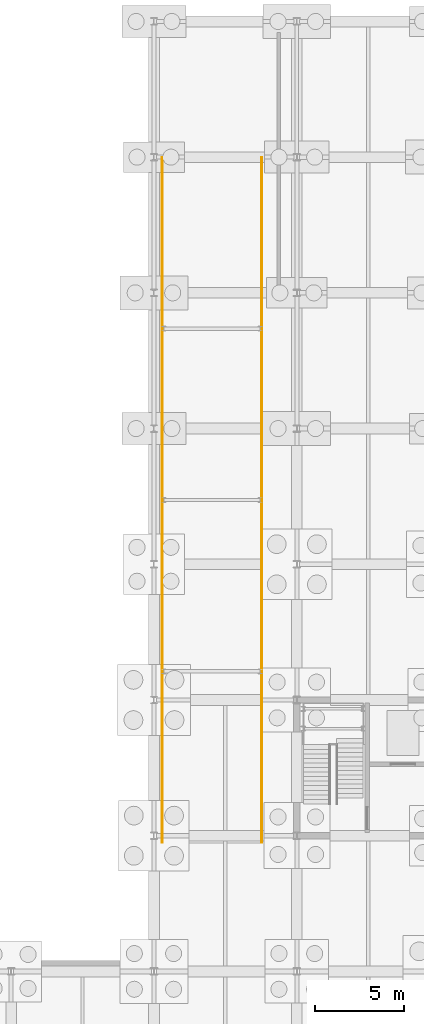
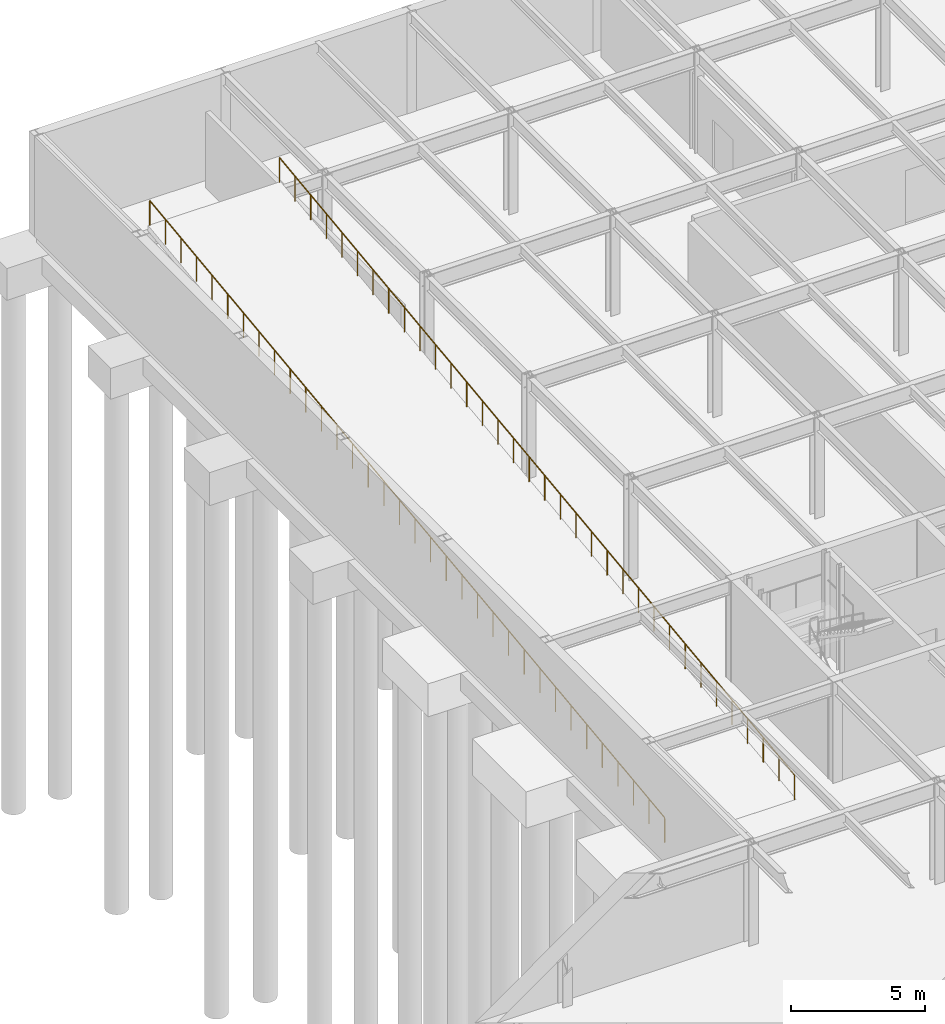
# One storey, part 20 of 21: 2 railings.
"""IFC4 building model written with IfcOpenShell, lengths in metres."""

from ifc_helpers import new_model, si_unit, direction, frame, origin, origin_2d, place, context, subcontext, project, spatial, circle, extrude, material, type_object, element, save


model = new_model("IFC4")

# Units and contexts
model_context = context("Model", 3, precision=1e-05, world=origin(), true_north=direction((0.0, 1.0)))
body_context = subcontext(model_context, "Body", "Model", "MODEL_VIEW")
ifc_project = project(units=[si_unit("LENGTHUNIT", "METRE"), si_unit("AREAUNIT", "SQUARE_METRE"), si_unit("VOLUMEUNIT", "CUBIC_METRE"), si_unit("PLANEANGLEUNIT", "RADIAN"), si_unit("MASSUNIT", "GRAM", prefix="KILO")], contexts=[model_context])

# Site, building, storey
site_placement = place(None, origin())
site = spatial("IfcSite", under=ifc_project, at=site_placement, CompositionType="ELEMENT")
building_placement = place(site_placement, origin())
building = spatial("IfcBuilding", under=site, at=building_placement, Name="Zulena Civic Courthouse", CompositionType="ELEMENT")
storey_placement = place(building_placement, frame((0.0, 0.0, -4.800048828125)))
storey = spatial("IfcBuildingStorey", under=building, at=storey_placement, Name="B01", CompositionType="ELEMENT", Elevation=-4.800048828125)

# Railings
ifc_material = material(Name="Brushed architectural steel ASTM A36", Category="steel")
railing_type = type_object("IfcRailingType", Name="InteriorGuardrail_1150", PredefinedType="GUARDRAIL", material=ifc_material)
railing_1_placement = place(storey_placement, frame((68.4599609375, 68.02001953125, 0.0)))
element("IfcRailing", 1, at=railing_1_placement, inside=storey, type_object=railing_type, Name="guard:vramp:B01:W", PredefinedType="GUARDRAIL", context=body_context, shape_type="SweptSolid", body=[
    extrude(circle(Radius=0.02392578125, at=origin_2d()), frame((0.0, 0.00390625, 1.12646484375), z_axis=(0.0, 0.992261740197, 0.12416375857), x_axis=(-1.0, 0.0, 0.0)), (0.0, 0.0, 1.0), 38.65087890625),
    extrude(circle(Radius=0.02099609375, at=origin_2d()), origin(), (0.0, 0.0, 1.0), 1.097900390625),
    extrude(circle(Radius=0.02099609375, at=origin_2d()), frame((0.0, 1.162353515625, 0.1455078125)), (0.0, 0.0, 1.0), 1.097900390625),
    extrude(circle(Radius=0.02099609375, at=origin_2d()), frame((0.0, 2.324951171875, 0.291015625)), (0.0, 0.0, 1.0), 1.097900390625),
    extrude(circle(Radius=0.02099609375, at=origin_2d()), frame((0.0, 3.4873046875, 0.436279296875)), (0.0, 0.0, 1.0), 1.097900390625),
    extrude(circle(Radius=0.02099609375, at=origin_2d()), frame((0.0, 4.649658203125, 0.581787109375)), (0.0, 0.0, 1.0), 1.097900390625),
    extrude(circle(Radius=0.02099609375, at=origin_2d()), frame((0.0, 5.81201171875, 0.727294921875)), (0.0, 0.0, 1.0), 1.097900390625),
    extrude(circle(Radius=0.02099609375, at=origin_2d()), frame((0.0, 6.974609375, 0.872802734375)), (0.0, 0.0, 1.0), 1.097900390625),
    extrude(circle(Radius=0.02099609375, at=origin_2d()), frame((0.0, 8.136962890625, 1.018310546875)), (0.0, 0.0, 1.0), 1.097900390625),
    extrude(circle(Radius=0.02099609375, at=origin_2d()), frame((0.0, 9.29931640625, 1.16357421875)), (0.0, 0.0, 1.0), 1.097900390625),
    extrude(circle(Radius=0.02099609375, at=origin_2d()), frame((0.0, 10.461669921875, 1.30908203125)), (0.0, 0.0, 1.0), 1.097900390625),
    extrude(circle(Radius=0.02099609375, at=origin_2d()), frame((0.0, 11.624267578125, 1.45458984375)), (0.0, 0.0, 1.0), 1.097900390625),
    extrude(circle(Radius=0.02099609375, at=origin_2d()), frame((0.0, 12.78662109375, 1.60009765625)), (0.0, 0.0, 1.0), 1.097900390625),
    extrude(circle(Radius=0.02099609375, at=origin_2d()), frame((0.0, 13.948974609375, 1.745361328125)), (0.0, 0.0, 1.0), 1.097900390625),
    extrude(circle(Radius=0.02099609375, at=origin_2d()), frame((0.0, 15.111572265625, 1.890869140625)), (0.0, 0.0, 1.0), 1.097900390625),
    extrude(circle(Radius=0.02099609375, at=origin_2d()), frame((0.0, 16.27392578125, 2.036376953125)), (0.0, 0.0, 1.0), 1.097900390625),
    extrude(circle(Radius=0.02099609375, at=origin_2d()), frame((0.0, 17.436279296875, 2.181884765625)), (0.0, 0.0, 1.0), 1.097900390625),
    extrude(circle(Radius=0.02099609375, at=origin_2d()), frame((0.0, 18.5986328125, 2.327392578125)), (0.0, 0.0, 1.0), 1.097900390625),
    extrude(circle(Radius=0.02099609375, at=origin_2d()), frame((0.0, 19.76123046875, 2.47265625)), (0.0, 0.0, 1.0), 1.097900390625),
    extrude(circle(Radius=0.02099609375, at=origin_2d()), frame((0.0, 20.923583984375, 2.6181640625)), (0.0, 0.0, 1.0), 1.097900390625),
    extrude(circle(Radius=0.02099609375, at=origin_2d()), frame((0.0, 22.0859375, 2.763671875)), (0.0, 0.0, 1.0), 1.097900390625),
    extrude(circle(Radius=0.02099609375, at=origin_2d()), frame((0.0, 23.248291015625, 2.9091796875)), (0.0, 0.0, 1.0), 1.097900390625),
    extrude(circle(Radius=0.02099609375, at=origin_2d()), frame((0.0, 24.410888671875, 3.0546875)), (0.0, 0.0, 1.0), 1.097900390625),
    extrude(circle(Radius=0.02099609375, at=origin_2d()), frame((0.0, 25.5732421875, 3.199951171875)), (0.0, 0.0, 1.0), 1.097900390625),
    extrude(circle(Radius=0.02099609375, at=origin_2d()), frame((0.0, 26.735595703125, 3.345458984375)), (0.0, 0.0, 1.0), 1.097900390625),
    extrude(circle(Radius=0.02099609375, at=origin_2d()), frame((0.0, 27.898193359375, 3.490966796875)), (0.0, 0.0, 1.0), 1.097900390625),
    extrude(circle(Radius=0.02099609375, at=origin_2d()), frame((0.0, 29.060546875, 3.636474609375)), (0.0, 0.0, 1.0), 1.097900390625),
    extrude(circle(Radius=0.02099609375, at=origin_2d()), frame((0.0, 30.222900390625, 3.78173828125)), (0.0, 0.0, 1.0), 1.097900390625),
    extrude(circle(Radius=0.02099609375, at=origin_2d()), frame((0.0, 31.38525390625, 3.92724609375)), (0.0, 0.0, 1.0), 1.097900390625),
    extrude(circle(Radius=0.02099609375, at=origin_2d()), frame((0.0, 32.5478515625, 4.07275390625)), (0.0, 0.0, 1.0), 1.097900390625),
    extrude(circle(Radius=0.02099609375, at=origin_2d()), frame((0.0, 33.710205078125, 4.21826171875)), (0.0, 0.0, 1.0), 1.097900390625),
    extrude(circle(Radius=0.02099609375, at=origin_2d()), frame((0.0, 34.87255859375, 4.36376953125)), (0.0, 0.0, 1.0), 1.097900390625),
    extrude(circle(Radius=0.02099609375, at=origin_2d()), frame((0.0, 36.034912109375, 4.509033203125)), (0.0, 0.0, 1.0), 1.097900390625),
    extrude(circle(Radius=0.02099609375, at=origin_2d()), frame((0.0, 37.197509765625, 4.654541015625)), (0.0, 0.0, 1.0), 1.097900390625),
    extrude(circle(Radius=0.02099609375, at=origin_2d()), frame((0.0, 38.35986328125, 4.800048828125)), (0.0, 0.0, 1.0), 1.097900390625),
])
railing_2_placement = place(storey_placement, frame((74.0400390625, 68.02001953125, 0.0)))
element("IfcRailing", 2, at=railing_2_placement, inside=storey, type_object=railing_type, Name="guard:vramp:B01:E", PredefinedType="GUARDRAIL", context=body_context, shape_type="SweptSolid", body=[
    extrude(circle(Radius=0.02392578125, at=origin_2d()), frame((0.0, 0.00390625, 1.12646484375), z_axis=(0.0, 0.992261740197, 0.12416375857), x_axis=(-1.0, 0.0, 0.0)), (0.0, 0.0, 1.0), 38.65087890625),
    extrude(circle(Radius=0.02099609375, at=origin_2d()), origin(), (0.0, 0.0, 1.0), 1.097900390625),
    extrude(circle(Radius=0.02099609375, at=origin_2d()), frame((0.0, 1.162353515625, 0.1455078125)), (0.0, 0.0, 1.0), 1.097900390625),
    extrude(circle(Radius=0.02099609375, at=origin_2d()), frame((0.0, 2.324951171875, 0.291015625)), (0.0, 0.0, 1.0), 1.097900390625),
    extrude(circle(Radius=0.02099609375, at=origin_2d()), frame((0.0, 3.4873046875, 0.436279296875)), (0.0, 0.0, 1.0), 1.097900390625),
    extrude(circle(Radius=0.02099609375, at=origin_2d()), frame((0.0, 4.649658203125, 0.581787109375)), (0.0, 0.0, 1.0), 1.097900390625),
    extrude(circle(Radius=0.02099609375, at=origin_2d()), frame((0.0, 5.81201171875, 0.727294921875)), (0.0, 0.0, 1.0), 1.097900390625),
    extrude(circle(Radius=0.02099609375, at=origin_2d()), frame((0.0, 6.974609375, 0.872802734375)), (0.0, 0.0, 1.0), 1.097900390625),
    extrude(circle(Radius=0.02099609375, at=origin_2d()), frame((0.0, 8.136962890625, 1.018310546875)), (0.0, 0.0, 1.0), 1.097900390625),
    extrude(circle(Radius=0.02099609375, at=origin_2d()), frame((0.0, 9.29931640625, 1.16357421875)), (0.0, 0.0, 1.0), 1.097900390625),
    extrude(circle(Radius=0.02099609375, at=origin_2d()), frame((0.0, 10.461669921875, 1.30908203125)), (0.0, 0.0, 1.0), 1.097900390625),
    extrude(circle(Radius=0.02099609375, at=origin_2d()), frame((0.0, 11.624267578125, 1.45458984375)), (0.0, 0.0, 1.0), 1.097900390625),
    extrude(circle(Radius=0.02099609375, at=origin_2d()), frame((0.0, 12.78662109375, 1.60009765625)), (0.0, 0.0, 1.0), 1.097900390625),
    extrude(circle(Radius=0.02099609375, at=origin_2d()), frame((0.0, 13.948974609375, 1.745361328125)), (0.0, 0.0, 1.0), 1.097900390625),
    extrude(circle(Radius=0.02099609375, at=origin_2d()), frame((0.0, 15.111572265625, 1.890869140625)), (0.0, 0.0, 1.0), 1.097900390625),
    extrude(circle(Radius=0.02099609375, at=origin_2d()), frame((0.0, 16.27392578125, 2.036376953125)), (0.0, 0.0, 1.0), 1.097900390625),
    extrude(circle(Radius=0.02099609375, at=origin_2d()), frame((0.0, 17.436279296875, 2.181884765625)), (0.0, 0.0, 1.0), 1.097900390625),
    extrude(circle(Radius=0.02099609375, at=origin_2d()), frame((0.0, 18.5986328125, 2.327392578125)), (0.0, 0.0, 1.0), 1.097900390625),
    extrude(circle(Radius=0.02099609375, at=origin_2d()), frame((0.0, 19.76123046875, 2.47265625)), (0.0, 0.0, 1.0), 1.097900390625),
    extrude(circle(Radius=0.02099609375, at=origin_2d()), frame((0.0, 20.923583984375, 2.6181640625)), (0.0, 0.0, 1.0), 1.097900390625),
    extrude(circle(Radius=0.02099609375, at=origin_2d()), frame((0.0, 22.0859375, 2.763671875)), (0.0, 0.0, 1.0), 1.097900390625),
    extrude(circle(Radius=0.02099609375, at=origin_2d()), frame((0.0, 23.248291015625, 2.9091796875)), (0.0, 0.0, 1.0), 1.097900390625),
    extrude(circle(Radius=0.02099609375, at=origin_2d()), frame((0.0, 24.410888671875, 3.0546875)), (0.0, 0.0, 1.0), 1.097900390625),
    extrude(circle(Radius=0.02099609375, at=origin_2d()), frame((0.0, 25.5732421875, 3.199951171875)), (0.0, 0.0, 1.0), 1.097900390625),
    extrude(circle(Radius=0.02099609375, at=origin_2d()), frame((0.0, 26.735595703125, 3.345458984375)), (0.0, 0.0, 1.0), 1.097900390625),
    extrude(circle(Radius=0.02099609375, at=origin_2d()), frame((0.0, 27.898193359375, 3.490966796875)), (0.0, 0.0, 1.0), 1.097900390625),
    extrude(circle(Radius=0.02099609375, at=origin_2d()), frame((0.0, 29.060546875, 3.636474609375)), (0.0, 0.0, 1.0), 1.097900390625),
    extrude(circle(Radius=0.02099609375, at=origin_2d()), frame((0.0, 30.222900390625, 3.78173828125)), (0.0, 0.0, 1.0), 1.097900390625),
    extrude(circle(Radius=0.02099609375, at=origin_2d()), frame((0.0, 31.38525390625, 3.92724609375)), (0.0, 0.0, 1.0), 1.097900390625),
    extrude(circle(Radius=0.02099609375, at=origin_2d()), frame((0.0, 32.5478515625, 4.07275390625)), (0.0, 0.0, 1.0), 1.097900390625),
    extrude(circle(Radius=0.02099609375, at=origin_2d()), frame((0.0, 33.710205078125, 4.21826171875)), (0.0, 0.0, 1.0), 1.097900390625),
    extrude(circle(Radius=0.02099609375, at=origin_2d()), frame((0.0, 34.87255859375, 4.36376953125)), (0.0, 0.0, 1.0), 1.097900390625),
    extrude(circle(Radius=0.02099609375, at=origin_2d()), frame((0.0, 36.034912109375, 4.509033203125)), (0.0, 0.0, 1.0), 1.097900390625),
    extrude(circle(Radius=0.02099609375, at=origin_2d()), frame((0.0, 37.197509765625, 4.654541015625)), (0.0, 0.0, 1.0), 1.097900390625),
    extrude(circle(Radius=0.02099609375, at=origin_2d()), frame((0.0, 38.35986328125, 4.800048828125)), (0.0, 0.0, 1.0), 1.097900390625),
])

save(model, "model.ifc")
